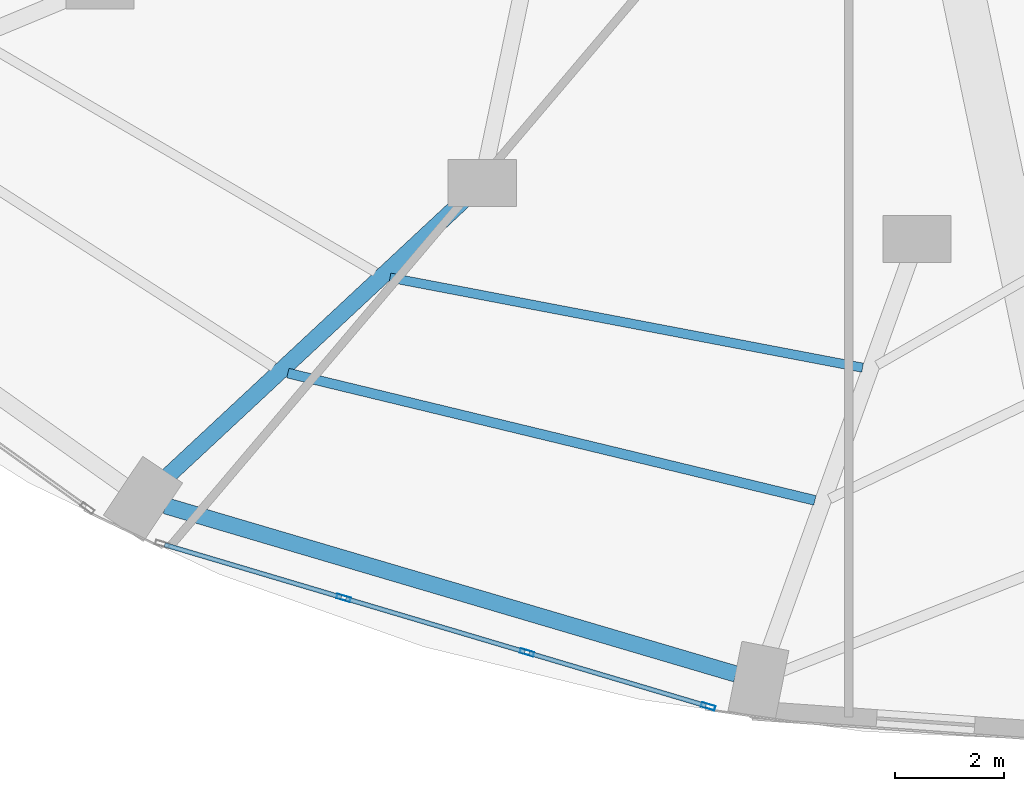
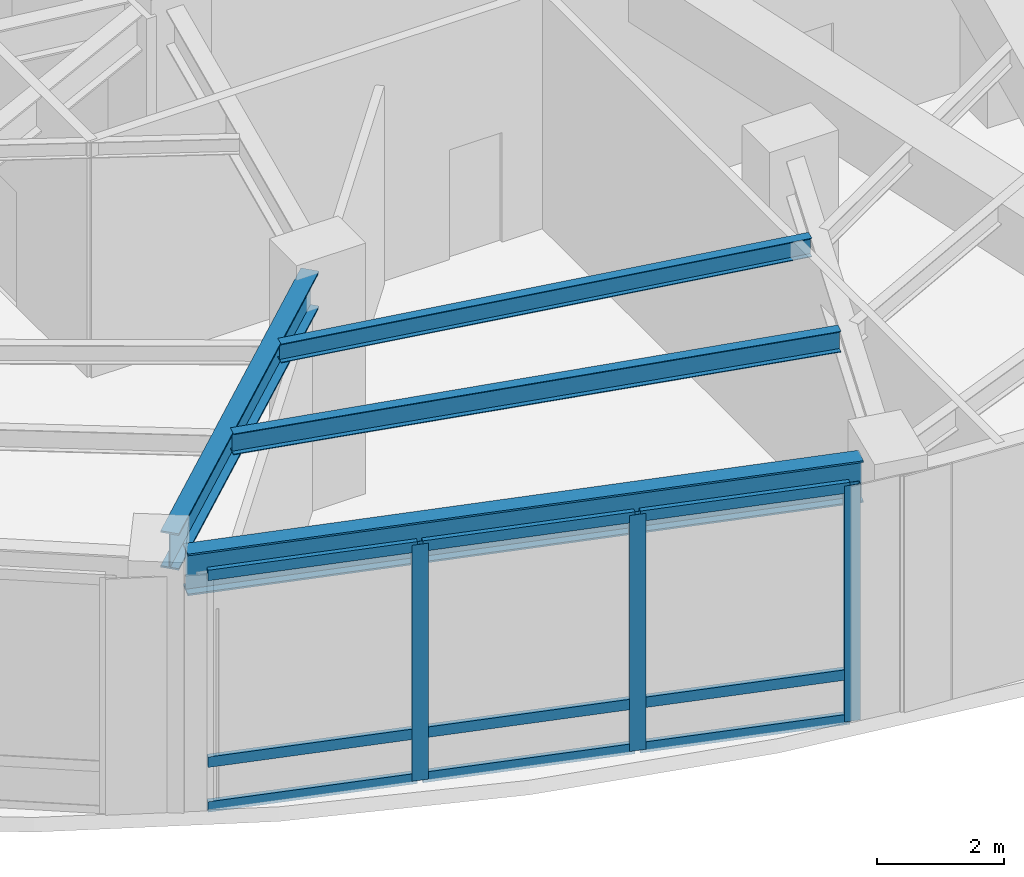
# One storey, part 3 of 24: 12 members, 4 beams, 1 element without a shape of its own.
"""IFC4 building model written with IfcOpenShell, lengths in metres."""

import ifcopenshell
import ifcopenshell.guid

model = None  # the IFC model being written
_history = None  # IfcOwnerHistory: only IFC2X3 demands one
_inside = {}  # id of a spatial element -> (the spatial element, [elements in it])
_under = {}  # id of a project, library or spatial element -> (it, [spatial elements below it])
_declared = {}  # id of a project -> (the project, [libraries it declares])
_typed = {}  # id of a type object -> (the type object, [elements of that type])
_made_of = {}  # id of a material, layer set ... -> (it, [elements and type objects made of it])


def new_model(schema):
    """Start an empty IFC model of exactly this schema.

    Asked for "IFC4X3", IfcOpenShell would pick the latest addendum, in which some entities
    have other attributes; the version numbers below select the first issue.
    IFC2X3 requires an IfcOwnerHistory on every rooted entity: one is made here for all.
    """
    global model, _history
    if schema == "IFC4X3":
        model = ifcopenshell.file(schema_version=(4, 3, 0, 0))
    else:
        model = ifcopenshell.file(schema=schema)
    _inside.clear()
    _under.clear()
    _declared.clear()
    _typed.clear()
    _made_of.clear()
    _history = None
    if model.schema == "IFC2X3":
        org = make("IfcOrganization", Name="unknown")
        user = make(
            "IfcPersonAndOrganization",
            ThePerson=make("IfcPerson", FamilyName="unknown"),
            TheOrganization=org,
        )
        app = make(
            "IfcApplication",
            ApplicationDeveloper=org,
            Version="unknown",
            ApplicationFullName="unknown",
            ApplicationIdentifier="unknown",
        )
        _history = make(
            "IfcOwnerHistory",
            OwningUser=user,
            OwningApplication=app,
            ChangeAction="ADDED",
            CreationDate=0,
        )
    return model


def make(cls, **values):
    """One entity of the class cls with the attributes given. An attribute that is None is left unset."""
    return model.create_entity(
        cls, **{name: value for name, value in values.items() if value is not None}
    )


def rooted(cls, **values):
    """An entity with a GlobalId (a new one), such as an element, a storey or a relation."""
    return make(cls, GlobalId=ifcopenshell.guid.new(), OwnerHistory=_history, **values)


def si_unit(unit_type, name, prefix=None):
    """IfcSIUnit, for example si_unit("LENGTHUNIT", "METRE", prefix="MILLI")."""
    return make("IfcSIUnit", UnitType=unit_type, Prefix=prefix, Name=name)


def assignment(units):
    """IfcUnitAssignment: the units of a project."""
    return None if units is None else make("IfcUnitAssignment", Units=units)


def point(xyz):
    """IfcCartesianPoint."""
    return None if xyz is None else make("IfcCartesianPoint", Coordinates=xyz)


def direction(xyz):
    """IfcDirection."""
    return None if xyz is None else make("IfcDirection", DirectionRatios=xyz)


def frame(location, z_axis=None, x_axis=None):
    """IfcAxis2Placement3D, a coordinate frame: its origin and axes. An axis left out is left unset."""
    return make(
        "IfcAxis2Placement3D",
        Location=point(location),
        Axis=direction(z_axis),
        RefDirection=direction(x_axis),
    )


def frame_2d(location, x_axis=None):
    """IfcAxis2Placement2D, a coordinate frame in the plane: its origin and x axis."""
    return make(
        "IfcAxis2Placement2D", Location=point(location), RefDirection=direction(x_axis)
    )


def origin():
    """The frame at (0, 0, 0) with its axes left unset."""
    return frame((0.0, 0.0, 0.0))


def origin_2d():
    """The frame at (0, 0) in the plane with its x axis left unset."""
    return frame_2d((0.0, 0.0))


def place(relative_to, where):
    """IfcLocalPlacement: puts the frame where relative to a parent placement (None: the world)."""
    return make(
        "IfcLocalPlacement", PlacementRelTo=relative_to, RelativePlacement=where
    )


def context(
    kind, dimensions, precision=None, world=None, true_north=None, identifier=None
):
    """IfcGeometricRepresentationContext, for example the 3D "Model" context."""
    return make(
        "IfcGeometricRepresentationContext",
        ContextIdentifier=identifier,
        ContextType=kind,
        CoordinateSpaceDimension=dimensions,
        Precision=precision,
        WorldCoordinateSystem=world,
        TrueNorth=true_north,
    )


def subcontext(parent, identifier, kind, view, scale=None):
    """IfcGeometricRepresentationSubContext, for example "Body" below "Model"."""
    return make(
        "IfcGeometricRepresentationSubContext",
        ContextIdentifier=identifier,
        ContextType=kind,
        ParentContext=parent,
        TargetScale=scale,
        TargetView=view,
    )


def project(units=None, contexts=None):
    """IfcProject with its units and contexts."""
    return rooted(
        "IfcProject",
        Name="project",
        RepresentationContexts=contexts,
        UnitsInContext=assignment(units),
    )


def spatial(cls, under=None, at=None, **own):
    """A site, building, storey or space (cls), placed at a placement, below another one or the project."""
    s = rooted(cls, ObjectPlacement=at, **own)
    if under is not None:
        _under.setdefault(under.id(), (under, []))[1].append(s)
    return s


def profile(cls, at=None, kind="AREA", **sizes):
    """A parametric profile (cls). Its sizes go by their IFC names, for example OverallWidth=200.0."""
    return make(cls, ProfileType=kind, Position=at, **sizes)


def hollow_rectangle(**sizes):
    """IfcRectangleHollowProfileDef."""
    return profile("IfcRectangleHollowProfileDef", **sizes)


def i_section(**sizes):
    """IfcIShapeProfileDef."""
    return profile("IfcIShapeProfileDef", **sizes)


def extrude(swept, where, along, depth):
    """IfcExtrudedAreaSolid: the profile swept, set in the frame where, extruded along a direction by depth."""
    return make(
        "IfcExtrudedAreaSolid",
        SweptArea=swept,
        Position=where,
        ExtrudedDirection=direction(along),
        Depth=depth,
    )


def shape(context_of_items, identifier, shape_type, items):
    """IfcShapeRepresentation: the items that make up one representation, for example the "Body"."""
    return make(
        "IfcShapeRepresentation",
        ContextOfItems=context_of_items,
        RepresentationIdentifier=identifier,
        RepresentationType=shape_type,
        Items=items,
    )


def material(Name=None, Category=None):
    """IfcMaterial."""
    return make("IfcMaterial", Name=Name, Category=Category)


def layer(
    of_material, thickness, ventilated=None, Name=None, Category=None, Priority=None
):
    """IfcMaterialLayer: one layer of a wall or slab, of a material (None: an air gap)."""
    return make(
        "IfcMaterialLayer",
        Material=of_material,
        LayerThickness=thickness,
        IsVentilated=ventilated,
        Name=Name,
        Category=Category,
        Priority=Priority,
    )


def layer_set(layers, Name=None):
    """IfcMaterialLayerSet."""
    return make("IfcMaterialLayerSet", MaterialLayers=layers, LayerSetName=Name)


def material_profile(
    of_material, cross_section, Name=None, Category=None, Priority=None
):
    """IfcMaterialProfile: a cross section and its material."""
    return make(
        "IfcMaterialProfile",
        Name=Name,
        Material=of_material,
        Profile=cross_section,
        Priority=Priority,
        Category=Category,
    )


def profile_set(profiles, Name=None, composite=None):
    """IfcMaterialProfileSet."""
    return make(
        "IfcMaterialProfileSet",
        Name=Name,
        MaterialProfiles=profiles,
        CompositeProfile=composite,
    )


def made_of(thing, what):
    """Note that an element or type object is made of a material, layer set ...; save() writes the relation."""
    if what is not None:
        _made_of.setdefault(what.id(), (what, []))[1].append(thing)
    return thing


def type_object(cls, material=None, **own):
    """A type object (cls), such as IfcWallType, which elements share."""
    return made_of(rooted(cls, **own), material)


def element(
    cls,
    number,
    at=None,
    inside=None,
    cuts=None,
    type_object=None,
    material=None,
    context=None,
    identifier="Body",
    shape_type=None,
    held_by="IfcProductDefinitionShape",
    body=None,
    shapes=None,
    **own,
):
    """One element of the class cls, such as IfcWall. Its Tag is "e" and its number.

    at: its placement. inside: the storey or other place that contains it. cuts: it is an
    opening in that element (IfcRelVoidsElement). A single representation is given by context,
    identifier, shape_type and body (its items); several are given by shapes. held_by: the class
    of the entity that holds the representations. save() writes the other relations.
    """
    e = rooted(cls, Tag="e%d" % number, ObjectPlacement=at, **own)
    if body is not None:
        shapes = [shape(context, identifier, shape_type, body)]
    if shapes is not None:
        e.Representation = make(held_by, Representations=shapes)
    if inside is not None:
        _inside.setdefault(inside.id(), (inside, []))[1].append(e)
    if cuts is not None:
        rooted(
            "IfcRelVoidsElement", RelatingBuildingElement=cuts, RelatedOpeningElement=e
        )
    if type_object is not None:
        _typed.setdefault(type_object.id(), (type_object, []))[1].append(e)
    return made_of(e, material)


def aggregate(whole, parts):
    """IfcRelAggregates: a whole, such as a stair, and the parts it consists of."""
    return rooted("IfcRelAggregates", RelatingObject=whole, RelatedObjects=parts)


def save(model, path):
    """Write the relations noted so far, then the file.

    IfcRelAggregates (storeys below a building ...), IfcRelContainedInSpatialStructure (elements
    in a storey), IfcRelDefinesByType, IfcRelAssociatesMaterial and IfcRelDeclares: one each for
    every whole, place, type object, material and project.
    """
    for whole, parts in _under.values():
        aggregate(whole, parts)
    for where, things in _inside.values():
        rooted(
            "IfcRelContainedInSpatialStructure",
            RelatedElements=things,
            RelatingStructure=where,
        )
    for kind, things in _typed.values():
        rooted("IfcRelDefinesByType", RelatedObjects=things, RelatingType=kind)
    for what, things in _made_of.values():
        rooted("IfcRelAssociatesMaterial", RelatedObjects=things, RelatingMaterial=what)
    for by, libraries in _declared.values():
        rooted("IfcRelDeclares", RelatingContext=by, RelatedDefinitions=libraries)
    model.write(path)


model = new_model("IFC4")

# Units and contexts
model_context = context("Model", 3, precision=1e-05, world=origin(), true_north=direction((0.0, 1.0)))
body_context = subcontext(model_context, "Body", "Model", "MODEL_VIEW")
ifc_project = project(units=[si_unit("LENGTHUNIT", "METRE"), si_unit("AREAUNIT", "SQUARE_METRE"), si_unit("VOLUMEUNIT", "CUBIC_METRE"), si_unit("PLANEANGLEUNIT", "RADIAN"), si_unit("MASSUNIT", "GRAM", prefix="KILO")], contexts=[model_context])

# Site, building, storey
site_placement = place(None, origin())
site = spatial("IfcSite", under=ifc_project, at=site_placement, CompositionType="ELEMENT")
building_placement = place(site_placement, origin())
building = spatial("IfcBuilding", under=site, at=building_placement, Name="Lazwardi Medical Tower", CompositionType="ELEMENT")
storey_placement = place(building_placement, frame((0.0, 0.0, 10.800048828125)))
storey = spatial("IfcBuildingStorey", under=building, at=storey_placement, Name="L02", CompositionType="ELEMENT", Elevation=10.800048828125)

# Beams
ifc_material_1 = material(Name="Steel S355", Category="steel")
ifc_material_profile_1 = material_profile(ifc_material_1, i_section(OverallWidth=0.300048828125, OverallDepth=0.800048828125, WebThickness=0.017578125, FlangeThickness=0.032958984375, at=origin_2d()), Name="HEB 800")
ifc_profile_set_1 = profile_set([ifc_material_profile_1], Name="Steel S355")
beam_type_1 = type_object("IfcBeamType", Name="BM-RB-P1", PredefinedType="BEAM", material=ifc_profile_set_1)
beam_1_placement = place(storey_placement, frame((19.023193359375, 6.9365234375, 4.119873046875), z_axis=(0.959103395471, -0.283055960537, 0.0), x_axis=(0.283055960537, 0.959103395471, 0.0)))
element("IfcBeam", 1, at=beam_1_placement, inside=storey, type_object=beam_type_1, Name="Ring beam RB-01 B15 L02", PredefinedType="BEAM", context=body_context, shape_type="SweptSolid", body=[
    extrude(i_section(OverallWidth=0.300048828125, OverallDepth=0.800048828125, WebThickness=0.017578125, FlangeThickness=0.032958984375, at=origin_2d()), origin(), (0.0, 0.0, 1.0), 10.904052734375),
])
ifc_material_profile_2 = material_profile(ifc_material_1, i_section(OverallWidth=0.300048828125, OverallDepth=0.699951171875, WebThickness=0.01708984375, FlangeThickness=0.031982421875, at=origin_2d()), Name="HEB 700")
ifc_profile_set_2 = profile_set([ifc_material_profile_2], Name="Steel S355")
beam_type_2 = type_object("IfcBeamType", Name="BM-RG-P1", PredefinedType="BEAM", material=ifc_profile_set_2)
beam_2_placement = place(storey_placement, frame((19.034912109375, 7.45361328125, 4.169921875), z_axis=(0.731585142998, 0.681750085108, 0.0), x_axis=(-0.681750085108, 0.731585142998, 0.0)))
element("IfcBeam", 2, at=beam_2_placement, inside=storey, type_object=beam_type_2, Name="Radial girder RG-01 R15A L02", PredefinedType="BEAM", context=body_context, shape_type="SweptSolid", body=[
    extrude(i_section(OverallWidth=0.300048828125, OverallDepth=0.699951171875, WebThickness=0.01708984375, FlangeThickness=0.031982421875, at=origin_2d()), origin(), (0.0, 0.0, 1.0), 7.52001953125),
])
ifc_material_profile_3 = material_profile(ifc_material_1, i_section(OverallWidth=0.179931640625, OverallDepth=0.39990234375, WebThickness=0.008544921875, FlangeThickness=0.013427734375, at=origin_2d()), Name="IPE 400")
ifc_profile_set_3 = profile_set([ifc_material_profile_3], Name="Steel S355")
beam_type_3 = type_object("IfcBeamType", Name="BM-SJ-01", PredefinedType="JOIST", material=ifc_profile_set_3)
beam_3_placement = place(storey_placement, frame((21.2666015625, 9.36767578125, 4.320068359375), z_axis=(0.972056312289, -0.234747791767, 0.0), x_axis=(0.234747791767, 0.972056312289, 0.0)))
element("IfcBeam", 3, at=beam_3_placement, inside=storey, type_object=beam_type_3, Name="Secondary joist SJ-01 RO1 B15 L02", PredefinedType="JOIST", context=body_context, shape_type="SweptSolid", body=[
    extrude(i_section(OverallWidth=0.179931640625, OverallDepth=0.39990234375, WebThickness=0.008544921875, FlangeThickness=0.013427734375, at=origin_2d()), origin(), (0.0, 0.0, 1.0), 9.9384765625),
])
ifc_material_profile_4 = material_profile(ifc_material_1, i_section(OverallWidth=0.169921875, OverallDepth=0.360107421875, WebThickness=0.008056640625, FlangeThickness=0.0126953125, at=origin_2d()), Name="IPE 360")
ifc_profile_set_4 = profile_set([ifc_material_profile_4], Name="Steel S355")
beam_type_4 = type_object("IfcBeamType", Name="BM-SJ-02", PredefinedType="JOIST", material=ifc_profile_set_4)
beam_4_placement = place(storey_placement, frame((23.138427734375, 11.11767578125, 4.33984375), z_axis=(0.982322570595, -0.187196066463, 0.0), x_axis=(0.187196066463, 0.982322570595, 0.0)))
element("IfcBeam", 4, at=beam_4_placement, inside=storey, type_object=beam_type_4, Name="Secondary joist SJ-02 RO2 B15 L02", PredefinedType="JOIST", context=body_context, shape_type="SweptSolid", body=[
    extrude(i_section(OverallWidth=0.169921875, OverallDepth=0.360107421875, WebThickness=0.008056640625, FlangeThickness=0.0126953125, at=origin_2d()), origin(), (0.0, 0.0, 1.0), 8.819091796875),
])

# Curtain wall, members
ifc_material_2 = material(Name="Anodised bronze aluminium and solar control glazing", Category="aluminium")
ifc_layer = layer(ifc_material_2, 0.219970703125)
ifc_layer_set = layer_set([ifc_layer], Name="Anodised bronze aluminium and solar control glazing")
curtain_wall_type = type_object("IfcCurtainWallType", Name="CW-SYS-01", PredefinedType="NOTDEFINED", material=ifc_layer_set)
curtain_wall_placement = place(storey_placement, origin())
curtain_wall = element("IfcCurtainWall", 5, at=curtain_wall_placement, inside=storey, type_object=curtain_wall_type, Name="L02 Unitised bronze curtain wall CW-01", PredefinedType="NOTDEFINED")
ifc_material_3 = material(Name="Anodised bronze aluminium", Category="aluminium")
ifc_material_profile_5 = material_profile(ifc_material_3, hollow_rectangle(XDim=0.0849609375, YDim=0.260009765625, WallThickness=0.0048828125, at=origin_2d()), Name="ALU-MULLION 260x85x5")
ifc_profile_set_5 = profile_set([ifc_material_profile_5], Name="Anodised bronze aluminium")
member_type_1 = type_object("IfcMemberType", Name="CW-MUL-02", PredefinedType="MULLION", material=ifc_profile_set_5)
member_1_placement = place(storey_placement, frame((22.28759765625, 5.245849609375, 0.0), z_axis=(0.0, 0.0, 1.0), x_axis=(0.285047195531, 0.958513482597, 0.0)))
member_1 = element("IfcMember", 6, at=member_1_placement, type_object=member_type_1, Name="CW-01 mullion 2", PredefinedType="MULLION", context=body_context, shape_type="SweptSolid", body=[
    extrude(hollow_rectangle(XDim=0.0849609375, YDim=0.260009765625, WallThickness=0.0048828125, at=origin_2d()), origin(), (0.0, 0.0, 1.0), 4.52001953125),
])
member_2_placement = place(storey_placement, frame((25.649658203125, 4.245849609375, 0.0), z_axis=(0.0, 0.0, 1.0), x_axis=(0.285047195531, 0.958513482597, 0.0)))
member_2 = element("IfcMember", 7, at=member_2_placement, type_object=member_type_1, Name="CW-01 mullion 3", PredefinedType="MULLION", context=body_context, shape_type="SweptSolid", body=[
    extrude(hollow_rectangle(XDim=0.0849609375, YDim=0.260009765625, WallThickness=0.0048828125, at=origin_2d()), origin(), (0.0, 0.0, 1.0), 4.52001953125),
])
member_3_placement = place(storey_placement, frame((28.97119140625, 3.25830078125, 0.0), z_axis=(0.0, 0.0, 1.0), x_axis=(0.285047195531, 0.958513482597, 0.0)))
member_3 = element("IfcMember", 8, at=member_3_placement, type_object=member_type_1, Name="CW-01 mullion 4", PredefinedType="MULLION", context=body_context, shape_type="SweptSolid", body=[
    extrude(hollow_rectangle(XDim=0.0849609375, YDim=0.260009765625, WallThickness=0.0048828125, at=origin_2d()), origin(), (0.0, 0.0, 1.0), 4.52001953125),
])
ifc_material_profile_6 = material_profile(ifc_material_3, hollow_rectangle(XDim=0.0849609375, YDim=0.199951171875, WallThickness=0.00439453125, at=origin_2d()), Name="ALU-TRANSOM 200x85x4.5")
ifc_profile_set_6 = profile_set([ifc_material_profile_6], Name="Anodised bronze aluminium")
member_type_2 = type_object("IfcMemberType", Name="CW-TRN-02", PredefinedType="USERDEFINED", material=ifc_profile_set_6)
member_4_placement = place(storey_placement, frame((19.0068359375, 6.221435546875, 0.04248046875), z_axis=(0.958525157923, -0.285007932572, 0.0), x_axis=(0.285007932572, 0.958525157923, 0.0)))
member_4 = element("IfcMember", 9, at=member_4_placement, type_object=member_type_2, Name="CW-01 transom 1.1", ObjectType="TRANSOM", PredefinedType="USERDEFINED", context=body_context, shape_type="SweptSolid", body=[
    extrude(hollow_rectangle(XDim=0.0849609375, YDim=0.199951171875, WallThickness=0.00439453125, at=origin_2d()), origin(), (0.0, 0.0, 1.0), 3.380126953125),
])
member_5_placement = place(storey_placement, frame((19.0068359375, 6.221435546875, 0.89990234375), z_axis=(0.958525157923, -0.285007932572, 0.0), x_axis=(0.285007932572, 0.958525157923, 0.0)))
member_5 = element("IfcMember", 10, at=member_5_placement, type_object=member_type_2, Name="CW-01 transom 1.2", ObjectType="TRANSOM", PredefinedType="USERDEFINED", context=body_context, shape_type="SweptSolid", body=[
    extrude(hollow_rectangle(XDim=0.0849609375, YDim=0.199951171875, WallThickness=0.00439453125, at=origin_2d()), origin(), (0.0, 0.0, 1.0), 3.380126953125),
])
member_6_placement = place(storey_placement, frame((19.0068359375, 6.221435546875, 4.4775390625), z_axis=(0.958525157923, -0.285007932572, 0.0), x_axis=(0.285007932572, 0.958525157923, 0.0)))
member_6 = element("IfcMember", 11, at=member_6_placement, type_object=member_type_2, Name="CW-01 transom 1.3", ObjectType="TRANSOM", PredefinedType="USERDEFINED", context=body_context, shape_type="SweptSolid", body=[
    extrude(hollow_rectangle(XDim=0.0849609375, YDim=0.199951171875, WallThickness=0.00439453125, at=origin_2d()), origin(), (0.0, 0.0, 1.0), 3.380126953125),
])
member_7_placement = place(storey_placement, frame((22.328125, 5.233642578125, 0.04248046875), z_axis=(0.958518450342, -0.285030490219, 0.0), x_axis=(0.285030490219, 0.958518450342, 0.0)))
member_7 = element("IfcMember", 12, at=member_7_placement, type_object=member_type_2, Name="CW-01 transom 2.1", ObjectType="TRANSOM", PredefinedType="USERDEFINED", context=body_context, shape_type="SweptSolid", body=[
    extrude(hollow_rectangle(XDim=0.0849609375, YDim=0.199951171875, WallThickness=0.00439453125, at=origin_2d()), origin(), (0.0, 0.0, 1.0), 3.4228515625),
])
member_8_placement = place(storey_placement, frame((22.328125, 5.233642578125, 0.89990234375), z_axis=(0.958518450342, -0.285030490219, 0.0), x_axis=(0.285030490219, 0.958518450342, 0.0)))
member_8 = element("IfcMember", 13, at=member_8_placement, type_object=member_type_2, Name="CW-01 transom 2.2", ObjectType="TRANSOM", PredefinedType="USERDEFINED", context=body_context, shape_type="SweptSolid", body=[
    extrude(hollow_rectangle(XDim=0.0849609375, YDim=0.199951171875, WallThickness=0.00439453125, at=origin_2d()), origin(), (0.0, 0.0, 1.0), 3.4228515625),
])
member_9_placement = place(storey_placement, frame((22.328125, 5.233642578125, 4.4775390625), z_axis=(0.958518450342, -0.285030490219, 0.0), x_axis=(0.285030490219, 0.958518450342, 0.0)))
member_9 = element("IfcMember", 14, at=member_9_placement, type_object=member_type_2, Name="CW-01 transom 2.3", ObjectType="TRANSOM", PredefinedType="USERDEFINED", context=body_context, shape_type="SweptSolid", body=[
    extrude(hollow_rectangle(XDim=0.0849609375, YDim=0.199951171875, WallThickness=0.00439453125, at=origin_2d()), origin(), (0.0, 0.0, 1.0), 3.4228515625),
])
member_10_placement = place(storey_placement, frame((25.6904296875, 4.23388671875, 0.04248046875), z_axis=(0.958505424522, -0.285074290603, 0.0), x_axis=(0.285074290603, 0.958505424522, 0.0)))
member_10 = element("IfcMember", 15, at=member_10_placement, type_object=member_type_2, Name="CW-01 transom 3.1", ObjectType="TRANSOM", PredefinedType="USERDEFINED", context=body_context, shape_type="SweptSolid", body=[
    extrude(hollow_rectangle(XDim=0.0849609375, YDim=0.199951171875, WallThickness=0.00439453125, at=origin_2d()), origin(), (0.0, 0.0, 1.0), 3.38037109375),
])
member_11_placement = place(storey_placement, frame((25.6904296875, 4.23388671875, 0.89990234375), z_axis=(0.958505424522, -0.285074290603, 0.0), x_axis=(0.285074290603, 0.958505424522, 0.0)))
member_11 = element("IfcMember", 16, at=member_11_placement, type_object=member_type_2, Name="CW-01 transom 3.2", ObjectType="TRANSOM", PredefinedType="USERDEFINED", context=body_context, shape_type="SweptSolid", body=[
    extrude(hollow_rectangle(XDim=0.0849609375, YDim=0.199951171875, WallThickness=0.00439453125, at=origin_2d()), origin(), (0.0, 0.0, 1.0), 3.38037109375),
])
member_12_placement = place(storey_placement, frame((25.6904296875, 4.23388671875, 4.4775390625), z_axis=(0.958505424522, -0.285074290603, 0.0), x_axis=(0.285074290603, 0.958505424522, 0.0)))
member_12 = element("IfcMember", 17, at=member_12_placement, type_object=member_type_2, Name="CW-01 transom 3.3", ObjectType="TRANSOM", PredefinedType="USERDEFINED", context=body_context, shape_type="SweptSolid", body=[
    extrude(hollow_rectangle(XDim=0.0849609375, YDim=0.199951171875, WallThickness=0.00439453125, at=origin_2d()), origin(), (0.0, 0.0, 1.0), 3.38037109375),
])
aggregate(curtain_wall, [member_1, member_2, member_3, member_4, member_5, member_6, member_7, member_8, member_9, member_10, member_11, member_12])

save(model, "model.ifc")
